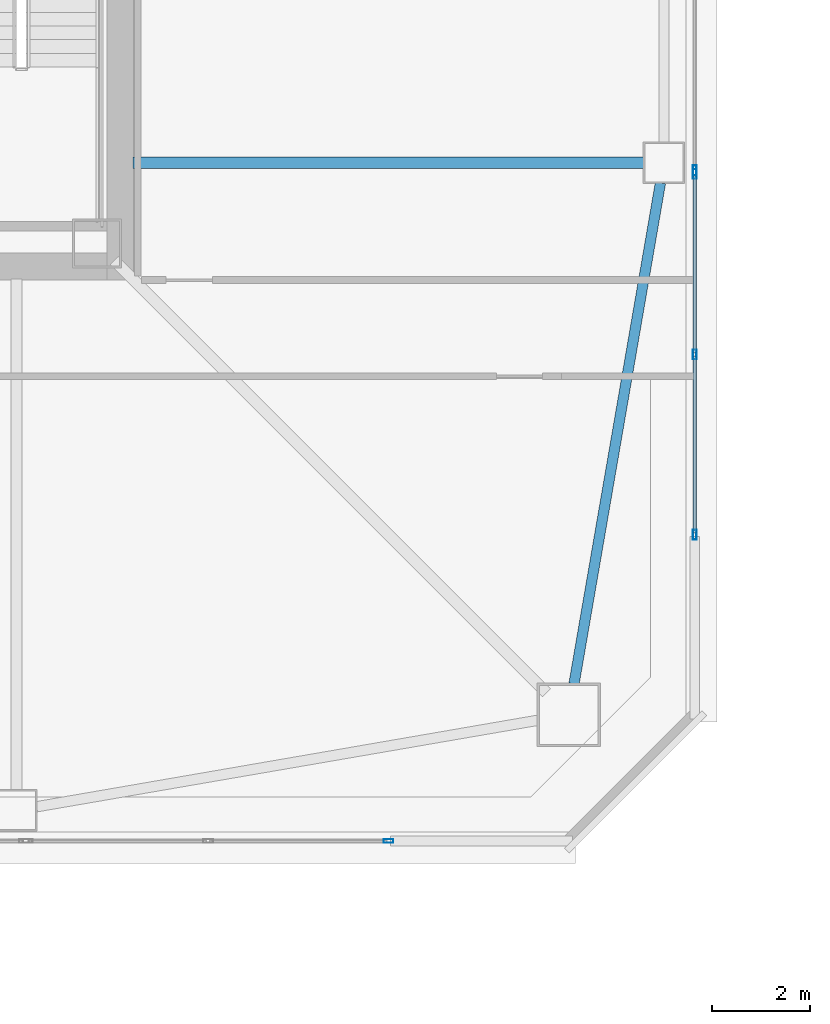
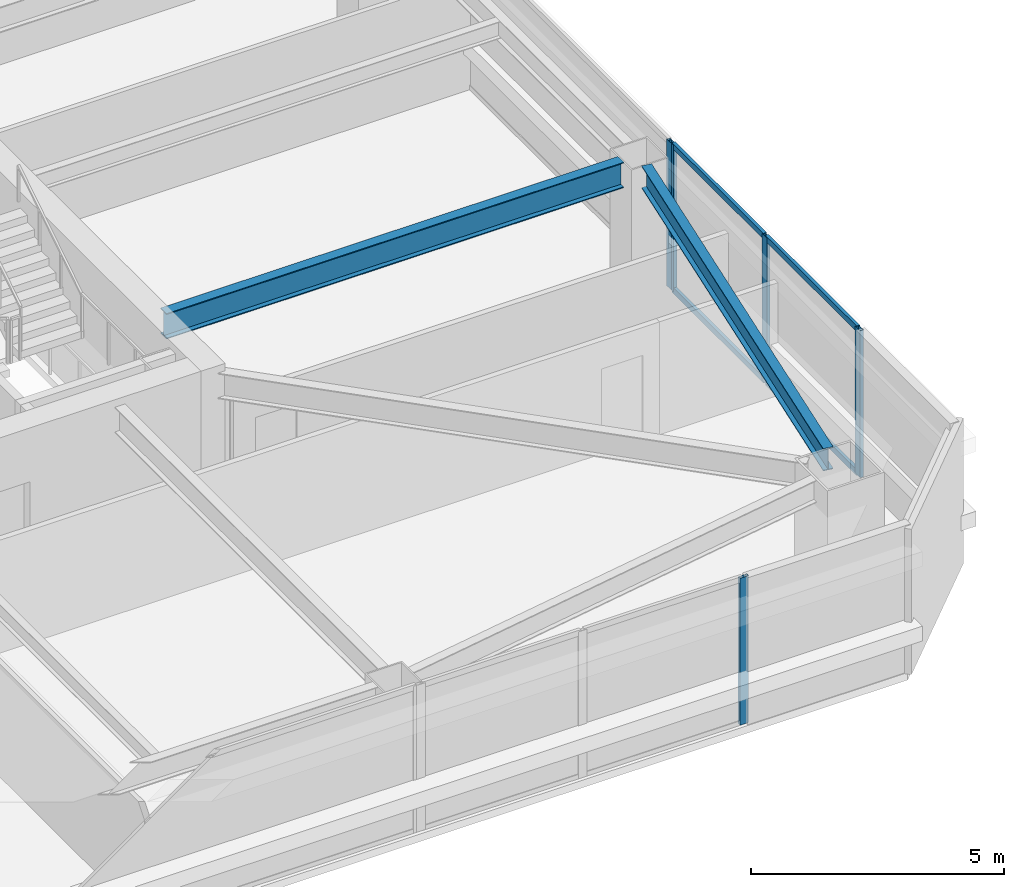
# One storey, part 10 of 44: 9 members, 2 beams, 3 elements without a shape of their own.
"""IFC4 building model written with IfcOpenShell, lengths in metres."""

from ifc_helpers import new_model, si_unit, direction, frame, origin, origin_2d, place, context, subcontext, project, spatial, hollow_rectangle, i_section, extrude, material, material_profile, profile_set, type_object, element, aggregate, save


model = new_model("IFC4")

# Units and contexts
model_context = context("Model", 3, precision=1e-05, world=origin(), true_north=direction((0.0, 1.0)))
body_context = subcontext(model_context, "Body", "Model", "MODEL_VIEW")
ifc_project = project(units=[si_unit("LENGTHUNIT", "METRE"), si_unit("AREAUNIT", "SQUARE_METRE"), si_unit("VOLUMEUNIT", "CUBIC_METRE"), si_unit("PLANEANGLEUNIT", "RADIAN"), si_unit("MASSUNIT", "GRAM", prefix="KILO")], contexts=[model_context])

# Site, building, storey
site_placement = place(None, origin())
site = spatial("IfcSite", under=ifc_project, at=site_placement, CompositionType="ELEMENT")
building_placement = place(site_placement, origin())
building = spatial("IfcBuilding", under=site, at=building_placement, Name="Tashvorn Skyway Center", CompositionType="ELEMENT")
storey_placement = place(building_placement, frame((0.0, 0.0, 149.89990234375)))
storey = spatial("IfcBuildingStorey", under=building, at=storey_placement, Name="L40", CompositionType="ELEMENT", Elevation=149.89990234375)

# Beams
ifc_material_1 = material(Name="Steel ASTM A992 Grade 50", Category="steel")
ifc_material_profile_1 = material_profile(ifc_material_1, i_section(OverallWidth=0.22998046875, OverallDepth=0.616943359375, WebThickness=0.01318359375, FlangeThickness=0.022216796875, at=origin_2d()), Name="W24X94")
ifc_profile_set_1 = profile_set([ifc_material_profile_1], Name="Steel ASTM A992 Grade 50")
beam_type_1 = type_object("IfcBeamType", Name="BM-BEAM-W24X94", PredefinedType="BEAM", material=ifc_profile_set_1)
beam_1_placement = place(storey_placement, frame((60.22998046875, 26.60009765625, 3.0615234375), z_axis=(-1.0, 0.0, 0.0), x_axis=(0.0, -1.0, 0.0)))
element("IfcBeam", 1, at=beam_1_placement, inside=storey, type_object=beam_type_1, Name="Tower 1 L40 Primary Floor Girder FC-E1", PredefinedType="BEAM", context=body_context, shape_type="SweptSolid", body=[
    extrude(i_section(OverallWidth=0.22998046875, OverallDepth=0.616943359375, WebThickness=0.01318359375, FlangeThickness=0.022216796875, at=origin_2d()), origin(), (0.0, 0.0, 1.0), 10.449951171875),
])
ifc_material_profile_2 = material_profile(ifc_material_1, i_section(OverallWidth=0.2109375, OverallDepth=0.5390625, WebThickness=0.01171875, FlangeThickness=0.018798828125, at=origin_2d()), Name="W21X73")
ifc_profile_set_2 = profile_set([ifc_material_profile_2], Name="Steel ASTM A992 Grade 50")
beam_type_2 = type_object("IfcBeamType", Name="BM-SPANDREL-W21X73", PredefinedType="SPANDREL", material=ifc_profile_set_2)
beam_2_placement = place(storey_placement, frame((58.8095703125, 15.935546875, 3.1005859375), z_axis=(0.170067250846, 0.985432458462, 0.0), x_axis=(-0.985432458462, 0.170067250846, 0.0)))
element("IfcBeam", 2, at=beam_2_placement, inside=storey, type_object=beam_type_2, Name="Tower 1 L40 Spandrel Beam 04", PredefinedType="SPANDREL", context=body_context, shape_type="SweptSolid", body=[
    extrude(i_section(OverallWidth=0.2109375, OverallDepth=0.5390625, WebThickness=0.01171875, FlangeThickness=0.018798828125, at=origin_2d()), origin(), (0.0, 0.0, 1.0), 10.402099609375),
])

# Curtain wall, member
ifc_material_2 = material(Name="Thermally broken bronze-anodized aluminium 6063-T6", Category="aluminium")
curtain_wall_type = type_object("IfcCurtainWallType", Name="CW-CW-Z3", PredefinedType="NOTDEFINED", material=ifc_material_2)
curtain_wall_1_placement = place(storey_placement, origin())
curtain_wall_1 = element("IfcCurtainWall", 3, at=curtain_wall_1_placement, inside=storey, type_object=curtain_wall_type, Name="Tower 1 L40 South Unitised Curtain Wall Glazing Group 1", PredefinedType="NOTDEFINED")
ifc_material_profile_3 = material_profile(ifc_material_2, hollow_rectangle(XDim=0.074951171875, YDim=0.199951171875, WallThickness=0.00439453125, at=origin_2d()), Name="ALU-MULL-75x200")
ifc_profile_set_3 = profile_set([ifc_material_profile_3], Name="Thermally broken bronze-anodized aluminium 6063-T6")
member_type_1 = type_object("IfcMemberType", Name="CWM-CW-Z3", PredefinedType="MULLION", material=ifc_profile_set_3)
member_1_placement = place(storey_placement, frame((55.013671875, 12.719970703125, 0.0), z_axis=(0.0, 0.0, 1.0), x_axis=(0.0, -1.0, 0.0)))
member_1 = element("IfcMember", 4, at=member_1_placement, type_object=member_type_1, Name="CW-Z3 mullion 1", PredefinedType="MULLION", context=body_context, shape_type="SweptSolid", body=[
    extrude(hollow_rectangle(XDim=0.074951171875, YDim=0.199951171875, WallThickness=0.00439453125, at=origin_2d()), origin(), (0.0, 0.0, 1.0), 3.550048828125),
])
aggregate(curtain_wall_1, [member_1])

curtain_wall_2_placement = place(storey_placement, origin())
curtain_wall_2 = element("IfcCurtainWall", 5, at=curtain_wall_2_placement, inside=storey, type_object=curtain_wall_type, Name="Tower 1 L40 East Unitised Curtain Wall Glazing Group 2", PredefinedType="NOTDEFINED")
member_2_placement = place(storey_placement, frame((61.280029296875, 26.444091796875, 0.0), z_axis=(0.0, 0.0, 1.0), x_axis=(1.0, 0.0, 0.0)))
member_2 = element("IfcMember", 6, at=member_2_placement, type_object=member_type_1, Name="CW-Z3 mullion 2", PredefinedType="MULLION", context=body_context, shape_type="SweptSolid", body=[
    extrude(hollow_rectangle(XDim=0.074951171875, YDim=0.199951171875, WallThickness=0.00439453125, at=origin_2d()), origin(), (0.0, 0.0, 1.0), 3.550048828125),
])
aggregate(curtain_wall_2, [member_2])

# Curtain wall, members
curtain_wall_3_placement = place(storey_placement, origin())
curtain_wall_3 = element("IfcCurtainWall", 7, at=curtain_wall_3_placement, inside=storey, type_object=curtain_wall_type, Name="Tower 1 L40 East Unitised Curtain Wall Glazing Group 3", PredefinedType="NOTDEFINED")
member_3_placement = place(storey_placement, frame((61.280029296875, 26.369140625, 0.0), z_axis=(0.0, 0.0, 1.0), x_axis=(1.0, 0.0, 0.0)))
member_3 = element("IfcMember", 8, at=member_3_placement, type_object=member_type_1, Name="CW-Z3 mullion 1", PredefinedType="MULLION", context=body_context, shape_type="SweptSolid", body=[
    extrude(hollow_rectangle(XDim=0.074951171875, YDim=0.199951171875, WallThickness=0.00439453125, at=origin_2d()), origin(), (0.0, 0.0, 1.0), 3.550048828125),
])
member_4_placement = place(storey_placement, frame((61.280029296875, 22.677734375, 0.0), z_axis=(0.0, 0.0, 1.0), x_axis=(1.0, 0.0, 0.0)))
member_4 = element("IfcMember", 9, at=member_4_placement, type_object=member_type_1, Name="CW-Z3 mullion 2", PredefinedType="MULLION", context=body_context, shape_type="SweptSolid", body=[
    extrude(hollow_rectangle(XDim=0.074951171875, YDim=0.199951171875, WallThickness=0.00439453125, at=origin_2d()), origin(), (0.0, 0.0, 1.0), 3.550048828125),
])
member_5_placement = place(storey_placement, frame((61.280029296875, 18.986328125, 0.0), z_axis=(0.0, 0.0, 1.0), x_axis=(1.0, 0.0, 0.0)))
member_5 = element("IfcMember", 10, at=member_5_placement, type_object=member_type_1, Name="CW-Z3 mullion 3", PredefinedType="MULLION", context=body_context, shape_type="SweptSolid", body=[
    extrude(hollow_rectangle(XDim=0.074951171875, YDim=0.199951171875, WallThickness=0.00439453125, at=origin_2d()), origin(), (0.0, 0.0, 1.0), 3.550048828125),
])
ifc_material_profile_4 = material_profile(ifc_material_2, hollow_rectangle(XDim=0.074951171875, YDim=0.139892578125, WallThickness=0.004150390625, at=origin_2d()), Name="ALU-TRAN-75x140")
ifc_profile_set_4 = profile_set([ifc_material_profile_4], Name="Thermally broken bronze-anodized aluminium 6063-T6")
member_type_2 = type_object("IfcMemberType", Name="CWT-CW-Z3", PredefinedType="USERDEFINED", material=ifc_profile_set_4)
member_6_placement = place(storey_placement, frame((61.280029296875, 26.331787109375, 0.03759765625), z_axis=(0.0, -1.0, 0.0), x_axis=(1.0, 0.0, 0.0)))
member_6 = element("IfcMember", 11, at=member_6_placement, type_object=member_type_2, Name="CW-Z3 transom 1.1", ObjectType="TRANSOM", PredefinedType="USERDEFINED", context=body_context, shape_type="SweptSolid", body=[
    extrude(hollow_rectangle(XDim=0.074951171875, YDim=0.139892578125, WallThickness=0.004150390625, at=origin_2d()), origin(), (0.0, 0.0, 1.0), 3.616455078125),
])
member_7_placement = place(storey_placement, frame((61.280029296875, 26.331787109375, 3.5126953125), z_axis=(0.0, -1.0, 0.0), x_axis=(1.0, 0.0, 0.0)))
member_7 = element("IfcMember", 12, at=member_7_placement, type_object=member_type_2, Name="CW-Z3 transom 1.2", ObjectType="TRANSOM", PredefinedType="USERDEFINED", context=body_context, shape_type="SweptSolid", body=[
    extrude(hollow_rectangle(XDim=0.074951171875, YDim=0.139892578125, WallThickness=0.004150390625, at=origin_2d()), origin(), (0.0, 0.0, 1.0), 3.616455078125),
])
member_8_placement = place(storey_placement, frame((61.280029296875, 22.640380859375, 0.03759765625), z_axis=(0.0, -1.0, 0.0), x_axis=(1.0, 0.0, 0.0)))
member_8 = element("IfcMember", 13, at=member_8_placement, type_object=member_type_2, Name="CW-Z3 transom 2.1", ObjectType="TRANSOM", PredefinedType="USERDEFINED", context=body_context, shape_type="SweptSolid", body=[
    extrude(hollow_rectangle(XDim=0.074951171875, YDim=0.139892578125, WallThickness=0.004150390625, at=origin_2d()), origin(), (0.0, 0.0, 1.0), 3.616455078125),
])
member_9_placement = place(storey_placement, frame((61.280029296875, 22.640380859375, 3.5126953125), z_axis=(0.0, -1.0, 0.0), x_axis=(1.0, 0.0, 0.0)))
member_9 = element("IfcMember", 14, at=member_9_placement, type_object=member_type_2, Name="CW-Z3 transom 2.2", ObjectType="TRANSOM", PredefinedType="USERDEFINED", context=body_context, shape_type="SweptSolid", body=[
    extrude(hollow_rectangle(XDim=0.074951171875, YDim=0.139892578125, WallThickness=0.004150390625, at=origin_2d()), origin(), (0.0, 0.0, 1.0), 3.616455078125),
])
aggregate(curtain_wall_3, [member_3, member_4, member_5, member_6, member_7, member_8, member_9])

save(model, "model.ifc")
